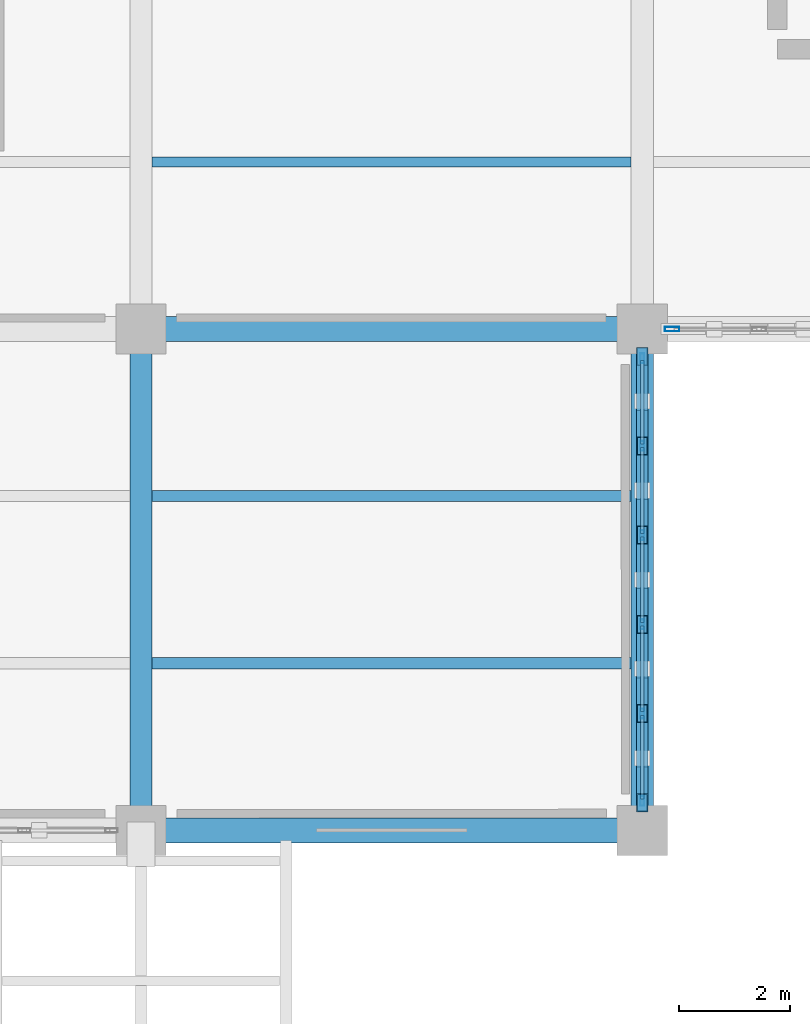
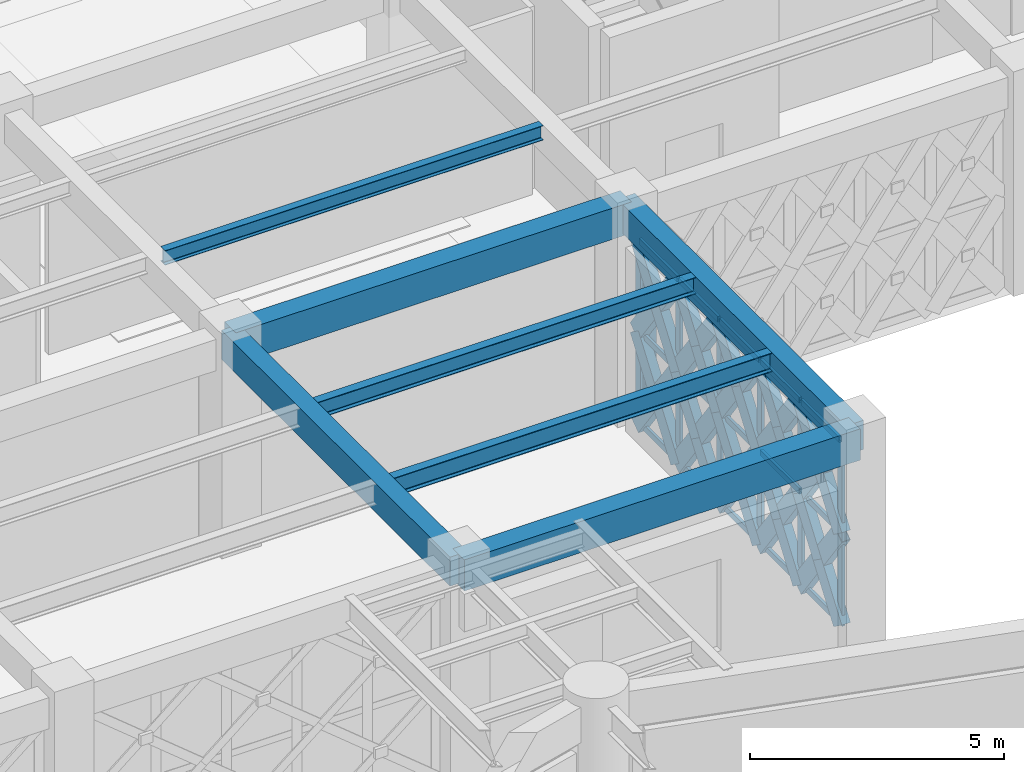
# One storey, part 79 of 166: 52 members, 7 beams, 2 elements without a shape of their own.
"""IFC4 building model written with IfcOpenShell, lengths in metres."""

from ifc_helpers import new_model, si_unit, direction, frame, origin, origin_2d, place, context, subcontext, project, spatial, rectangle, hollow_rectangle, i_section, extrude, material, material_profile, profile_set, type_object, element, aggregate, save


model = new_model("IFC4")

# Units and contexts
model_context = context("Model", 3, precision=1e-05, world=origin(), true_north=direction((0.0, 1.0)))
body_context = subcontext(model_context, "Body", "Model", "MODEL_VIEW")
ifc_project = project(units=[si_unit("LENGTHUNIT", "METRE"), si_unit("AREAUNIT", "SQUARE_METRE"), si_unit("VOLUMEUNIT", "CUBIC_METRE"), si_unit("PLANEANGLEUNIT", "RADIAN"), si_unit("MASSUNIT", "GRAM", prefix="KILO")], contexts=[model_context])

# Site, building, storey
site_placement = place(None, origin())
site = spatial("IfcSite", under=ifc_project, at=site_placement, CompositionType="ELEMENT")
building_placement = place(site_placement, origin())
building = spatial("IfcBuilding", under=site, at=building_placement, Name="Haizhuo Lancet Aquarium", CompositionType="ELEMENT")
storey_placement = place(building_placement, frame((0.0, 0.0, 5.39990234375)))
storey = spatial("IfcBuildingStorey", under=building, at=storey_placement, Name="L01", CompositionType="ELEMENT", Elevation=5.39990234375)

# Beams
ifc_material_1 = material(Name="Concrete C40/50", Category="concrete")
ifc_material_profile_1 = material_profile(ifc_material_1, rectangle(XDim=0.39990234375, YDim=0.699951171875, at=origin_2d()), Name="RC-BM 400x700")
ifc_profile_set_1 = profile_set([ifc_material_profile_1], Name="Concrete C40/50")
beam_type_1 = type_object("IfcBeamType", Name="BM-RC-400x700", PredefinedType="BEAM", material=ifc_profile_set_1)
for number, where, z_axis, x_axis, name in (
    (1, (0.0, 27.0, 4.7900390625), (0.0, 1.0, 0.0), (-1.0, 0.0, 0.0), "L01 V5 primary girder BM-L01-V5-016"),
    (2, (9.0, 27.0, 4.7900390625), (0.0, 1.0, 0.0), (-1.0, 0.0, 0.0), "L01 V5 primary girder BM-L01-V5-023"),
):
    element("IfcBeam", number, at=place(storey_placement, frame(where, z_axis=z_axis, x_axis=x_axis)), inside=storey, type_object=beam_type_1, Name=name, PredefinedType="BEAM", context=body_context, shape_type="SweptSolid", body=[
        extrude(rectangle(XDim=0.39990234375, YDim=0.699951171875, at=origin_2d()), origin(), (0.0, 0.0, 1.0), 9.0),
    ])
ifc_material_profile_2 = material_profile(ifc_material_1, rectangle(XDim=0.449951171875, YDim=0.75, at=origin_2d()), Name="RC-BM 450x750")
ifc_profile_set_2 = profile_set([ifc_material_profile_2], Name="Concrete C40/50")
beam_type_2 = type_object("IfcBeamType", Name="BM-RC-450x750", PredefinedType="BEAM", material=ifc_profile_set_2)
for number, where, z_axis, x_axis, name in (
    (3, (0.0, 27.0, 4.76513671875), (1.0, 0.0, 0.0), (0.0, 1.0, 0.0), "L01 V5 primary girder BM-L01-V5-017"),
    (4, (0.0, 36.0, 4.76513671875), (1.0, 0.0, 0.0), (0.0, 1.0, 0.0), "L01 V5 primary girder BM-L01-V5-019"),
):
    element("IfcBeam", number, at=place(storey_placement, frame(where, z_axis=z_axis, x_axis=x_axis)), inside=storey, type_object=beam_type_2, Name=name, PredefinedType="BEAM", context=body_context, shape_type="SweptSolid", body=[
        extrude(rectangle(XDim=0.449951171875, YDim=0.75, at=origin_2d()), origin(), (0.0, 0.0, 1.0), 9.0),
    ])

# Curtain wall, members
ifc_material_2 = material(Name="Aluminium 6063-T6", Category="aluminium")
curtain_wall_type_1 = type_object("IfcCurtainWallType", Name="CWD-8010x4440", PredefinedType="NOTDEFINED", material=ifc_material_2)
curtain_wall_1_placement = place(storey_placement, origin())
curtain_wall_1 = element("IfcCurtainWall", 5, at=curtain_wall_1_placement, inside=storey, type_object=curtain_wall_type_1, Name="L01 curtain wall CW-V5-L01-139", PredefinedType="NOTDEFINED")
ifc_material_profile_3 = material_profile(ifc_material_2, hollow_rectangle(XDim=0.06494140625, YDim=0.179931640625, WallThickness=0.00390625, at=origin_2d()), Name="ALU-M 65x180x4")
ifc_profile_set_3 = profile_set([ifc_material_profile_3], Name="Aluminium 6063-T6")
member_type_1 = type_object("IfcMemberType", Name="CW-MUL-1", PredefinedType="MULLION", material=ifc_profile_set_3)
member_1_placement = place(storey_placement, frame((9.0, 35.472900390625, 0.0), z_axis=(0.0, 0.0, 1.0), x_axis=(1.0, 0.0, 0.0)))
member_1 = element("IfcMember", 6, at=member_1_placement, type_object=member_type_1, Name="CWD-80x44 mullion 1", PredefinedType="MULLION", context=body_context, shape_type="SweptSolid", body=[
    extrude(hollow_rectangle(XDim=0.06494140625, YDim=0.179931640625, WallThickness=0.00390625, at=origin_2d()), origin(), (0.0, 0.0, 1.0), 4.440185546875),
])
member_2_placement = place(storey_placement, frame((9.0, 33.903076171875, 0.0), z_axis=(0.0, 0.0, 1.0), x_axis=(1.0, 0.0, 0.0)))
member_2 = element("IfcMember", 7, at=member_2_placement, type_object=member_type_1, Name="CWD-80x44 mullion 2", PredefinedType="MULLION", context=body_context, shape_type="SweptSolid", body=[
    extrude(hollow_rectangle(XDim=0.06494140625, YDim=0.179931640625, WallThickness=0.00390625, at=origin_2d()), origin(), (0.0, 0.0, 1.0), 4.440185546875),
])
member_3_placement = place(storey_placement, frame((9.0, 32.301025390625, 0.0), z_axis=(0.0, 0.0, 1.0), x_axis=(1.0, 0.0, 0.0)))
member_3 = element("IfcMember", 8, at=member_3_placement, type_object=member_type_1, Name="CWD-80x44 mullion 3", PredefinedType="MULLION", context=body_context, shape_type="SweptSolid", body=[
    extrude(hollow_rectangle(XDim=0.06494140625, YDim=0.179931640625, WallThickness=0.00390625, at=origin_2d()), origin(), (0.0, 0.0, 1.0), 4.440185546875),
])
member_4_placement = place(storey_placement, frame((9.0, 30.698974609375, 0.0), z_axis=(0.0, 0.0, 1.0), x_axis=(1.0, 0.0, 0.0)))
member_4 = element("IfcMember", 9, at=member_4_placement, type_object=member_type_1, Name="CWD-80x44 mullion 4", PredefinedType="MULLION", context=body_context, shape_type="SweptSolid", body=[
    extrude(hollow_rectangle(XDim=0.06494140625, YDim=0.179931640625, WallThickness=0.00390625, at=origin_2d()), origin(), (0.0, 0.0, 1.0), 4.440185546875),
])
member_5_placement = place(storey_placement, frame((9.0, 29.096923828125, 0.0), z_axis=(0.0, 0.0, 1.0), x_axis=(1.0, 0.0, 0.0)))
member_5 = element("IfcMember", 10, at=member_5_placement, type_object=member_type_1, Name="CWD-80x44 mullion 5", PredefinedType="MULLION", context=body_context, shape_type="SweptSolid", body=[
    extrude(hollow_rectangle(XDim=0.06494140625, YDim=0.179931640625, WallThickness=0.00390625, at=origin_2d()), origin(), (0.0, 0.0, 1.0), 4.440185546875),
])
member_6_placement = place(storey_placement, frame((9.0, 27.527099609375, 0.0), z_axis=(0.0, 0.0, 1.0), x_axis=(1.0, 0.0, 0.0)))
member_6 = element("IfcMember", 11, at=member_6_placement, type_object=member_type_1, Name="CWD-80x44 mullion 6", PredefinedType="MULLION", context=body_context, shape_type="SweptSolid", body=[
    extrude(hollow_rectangle(XDim=0.06494140625, YDim=0.179931640625, WallThickness=0.00390625, at=origin_2d()), origin(), (0.0, 0.0, 1.0), 4.440185546875),
])

# Curtain wall, member
curtain_wall_type_2 = type_object("IfcCurtainWallType", Name="CWD-8010x4390", PredefinedType="NOTDEFINED", material=ifc_material_2)
curtain_wall_2_placement = place(storey_placement, origin())
curtain_wall_2 = element("IfcCurtainWall", 12, at=curtain_wall_2_placement, inside=storey, type_object=curtain_wall_type_2, Name="L01 curtain wall CW-V5-L01-138", PredefinedType="NOTDEFINED")
ifc_material_profile_4 = material_profile(ifc_material_2, hollow_rectangle(XDim=0.080078125, YDim=0.260009765625, WallThickness=0.0048828125, at=origin_2d()), Name="ALU-M 80x260x5")
ifc_profile_set_4 = profile_set([ifc_material_profile_4], Name="Aluminium 6063-T6")
member_type_2 = type_object("IfcMemberType", Name="CW-MUL-3", PredefinedType="MULLION", material=ifc_profile_set_4)
member_7_placement = place(storey_placement, frame((9.534912109375, 36.0, 0.0), z_axis=(0.0, 0.0, 1.0), x_axis=(0.0, -1.0, 0.0)))
member_7 = element("IfcMember", 13, at=member_7_placement, type_object=member_type_2, Name="CWD-80x43 mullion 6", PredefinedType="MULLION", context=body_context, shape_type="SweptSolid", body=[
    extrude(hollow_rectangle(XDim=0.080078125, YDim=0.260009765625, WallThickness=0.0048828125, at=origin_2d()), origin(), (0.0, 0.0, 1.0), 4.39013671875),
])
aggregate(curtain_wall_2, [member_7])

# Member
ifc_material_profile_5 = material_profile(ifc_material_2, hollow_rectangle(XDim=0.06494140625, YDim=0.139892578125, WallThickness=0.00390625, at=origin_2d()), Name="ALU-T 65x140x4")
ifc_profile_set_5 = profile_set([ifc_material_profile_5], Name="Aluminium 6063-T6")
member_type_3 = type_object("IfcMemberType", Name="CW-TRN-1", PredefinedType="NOTDEFINED", material=ifc_profile_set_5)
member_8_placement = place(storey_placement, frame((9.0, 35.43994140625, 0.033203125), z_axis=(0.0, -1.0, 0.0), x_axis=(1.0, 0.0, 0.0)))
member_8 = element("IfcMember", 14, at=member_8_placement, type_object=member_type_3, Name="CWD-80x44 transom 1.1", ObjectType="TRANSOM", PredefinedType="USERDEFINED", context=body_context, shape_type="SweptSolid", body=[
    extrude(hollow_rectangle(XDim=0.06494140625, YDim=0.139892578125, WallThickness=0.00390625, at=origin_2d()), origin(), (0.0, 0.0, 1.0), 1.50390625),
])

member_9_placement = place(storey_placement, frame((9.0, 35.43994140625, 2.22021484375), z_axis=(0.0, -1.0, 0.0), x_axis=(1.0, 0.0, 0.0)))
member_9 = element("IfcMember", 15, at=member_9_placement, type_object=member_type_3, Name="CWD-80x44 transom 1.2", ObjectType="TRANSOM", PredefinedType="USERDEFINED", context=body_context, shape_type="SweptSolid", body=[
    extrude(hollow_rectangle(XDim=0.06494140625, YDim=0.139892578125, WallThickness=0.00390625, at=origin_2d()), origin(), (0.0, 0.0, 1.0), 1.50390625),
])

member_10_placement = place(storey_placement, frame((9.0, 35.43994140625, 4.406982421875), z_axis=(0.0, -1.0, 0.0), x_axis=(1.0, 0.0, 0.0)))
member_10 = element("IfcMember", 16, at=member_10_placement, type_object=member_type_3, Name="CWD-80x44 transom 1.3", ObjectType="TRANSOM", PredefinedType="USERDEFINED", context=body_context, shape_type="SweptSolid", body=[
    extrude(hollow_rectangle(XDim=0.06494140625, YDim=0.139892578125, WallThickness=0.00390625, at=origin_2d()), origin(), (0.0, 0.0, 1.0), 1.50390625),
])

member_11_placement = place(storey_placement, frame((9.0, 33.8701171875, 0.033203125), z_axis=(0.0, -1.0, 0.0), x_axis=(1.0, 0.0, 0.0)))
member_11 = element("IfcMember", 17, at=member_11_placement, type_object=member_type_3, Name="CWD-80x44 transom 2.1", ObjectType="TRANSOM", PredefinedType="USERDEFINED", context=body_context, shape_type="SweptSolid", body=[
    extrude(hollow_rectangle(XDim=0.06494140625, YDim=0.139892578125, WallThickness=0.00390625, at=origin_2d()), origin(), (0.0, 0.0, 1.0), 1.5361328125),
])

member_12_placement = place(storey_placement, frame((9.0, 33.8701171875, 2.22021484375), z_axis=(0.0, -1.0, 0.0), x_axis=(1.0, 0.0, 0.0)))
member_12 = element("IfcMember", 18, at=member_12_placement, type_object=member_type_3, Name="CWD-80x44 transom 2.2", ObjectType="TRANSOM", PredefinedType="USERDEFINED", context=body_context, shape_type="SweptSolid", body=[
    extrude(hollow_rectangle(XDim=0.06494140625, YDim=0.139892578125, WallThickness=0.00390625, at=origin_2d()), origin(), (0.0, 0.0, 1.0), 1.5361328125),
])

member_13_placement = place(storey_placement, frame((9.0, 33.8701171875, 4.406982421875), z_axis=(0.0, -1.0, 0.0), x_axis=(1.0, 0.0, 0.0)))
member_13 = element("IfcMember", 19, at=member_13_placement, type_object=member_type_3, Name="CWD-80x44 transom 2.3", ObjectType="TRANSOM", PredefinedType="USERDEFINED", context=body_context, shape_type="SweptSolid", body=[
    extrude(hollow_rectangle(XDim=0.06494140625, YDim=0.139892578125, WallThickness=0.00390625, at=origin_2d()), origin(), (0.0, 0.0, 1.0), 1.5361328125),
])

member_14_placement = place(storey_placement, frame((9.0, 32.26904296875, 0.033203125), z_axis=(0.0, -1.0, 0.0), x_axis=(1.0, 0.0, 0.0)))
member_14 = element("IfcMember", 20, at=member_14_placement, type_object=member_type_3, Name="CWD-80x44 transom 3.1", ObjectType="TRANSOM", PredefinedType="USERDEFINED", context=body_context, shape_type="SweptSolid", body=[
    extrude(hollow_rectangle(XDim=0.06494140625, YDim=0.139892578125, WallThickness=0.00390625, at=origin_2d()), origin(), (0.0, 0.0, 1.0), 1.537109375),
])

member_15_placement = place(storey_placement, frame((9.0, 32.26904296875, 2.22021484375), z_axis=(0.0, -1.0, 0.0), x_axis=(1.0, 0.0, 0.0)))
member_15 = element("IfcMember", 21, at=member_15_placement, type_object=member_type_3, Name="CWD-80x44 transom 3.2", ObjectType="TRANSOM", PredefinedType="USERDEFINED", context=body_context, shape_type="SweptSolid", body=[
    extrude(hollow_rectangle(XDim=0.06494140625, YDim=0.139892578125, WallThickness=0.00390625, at=origin_2d()), origin(), (0.0, 0.0, 1.0), 1.537109375),
])

member_16_placement = place(storey_placement, frame((9.0, 32.26904296875, 4.406982421875), z_axis=(0.0, -1.0, 0.0), x_axis=(1.0, 0.0, 0.0)))
member_16 = element("IfcMember", 22, at=member_16_placement, type_object=member_type_3, Name="CWD-80x44 transom 3.3", ObjectType="TRANSOM", PredefinedType="USERDEFINED", context=body_context, shape_type="SweptSolid", body=[
    extrude(hollow_rectangle(XDim=0.06494140625, YDim=0.139892578125, WallThickness=0.00390625, at=origin_2d()), origin(), (0.0, 0.0, 1.0), 1.537109375),
])

member_17_placement = place(storey_placement, frame((9.0, 30.6669921875, 0.033203125), z_axis=(0.0, -1.0, 0.0), x_axis=(1.0, 0.0, 0.0)))
member_17 = element("IfcMember", 23, at=member_17_placement, type_object=member_type_3, Name="CWD-80x44 transom 4.1", ObjectType="TRANSOM", PredefinedType="USERDEFINED", context=body_context, shape_type="SweptSolid", body=[
    extrude(hollow_rectangle(XDim=0.06494140625, YDim=0.139892578125, WallThickness=0.00390625, at=origin_2d()), origin(), (0.0, 0.0, 1.0), 1.537109375),
])

member_18_placement = place(storey_placement, frame((9.0, 30.6669921875, 2.22021484375), z_axis=(0.0, -1.0, 0.0), x_axis=(1.0, 0.0, 0.0)))
member_18 = element("IfcMember", 24, at=member_18_placement, type_object=member_type_3, Name="CWD-80x44 transom 4.2", ObjectType="TRANSOM", PredefinedType="USERDEFINED", context=body_context, shape_type="SweptSolid", body=[
    extrude(hollow_rectangle(XDim=0.06494140625, YDim=0.139892578125, WallThickness=0.00390625, at=origin_2d()), origin(), (0.0, 0.0, 1.0), 1.537109375),
])

member_19_placement = place(storey_placement, frame((9.0, 30.6669921875, 4.406982421875), z_axis=(0.0, -1.0, 0.0), x_axis=(1.0, 0.0, 0.0)))
member_19 = element("IfcMember", 25, at=member_19_placement, type_object=member_type_3, Name="CWD-80x44 transom 4.3", ObjectType="TRANSOM", PredefinedType="USERDEFINED", context=body_context, shape_type="SweptSolid", body=[
    extrude(hollow_rectangle(XDim=0.06494140625, YDim=0.139892578125, WallThickness=0.00390625, at=origin_2d()), origin(), (0.0, 0.0, 1.0), 1.537109375),
])

member_20_placement = place(storey_placement, frame((9.0, 29.06494140625, 0.033203125), z_axis=(0.0, -1.0, 0.0), x_axis=(1.0, 0.0, 0.0)))
member_20 = element("IfcMember", 26, at=member_20_placement, type_object=member_type_3, Name="CWD-80x44 transom 5.1", ObjectType="TRANSOM", PredefinedType="USERDEFINED", context=body_context, shape_type="SweptSolid", body=[
    extrude(hollow_rectangle(XDim=0.06494140625, YDim=0.139892578125, WallThickness=0.00390625, at=origin_2d()), origin(), (0.0, 0.0, 1.0), 1.5048828125),
])

member_21_placement = place(storey_placement, frame((9.0, 29.06494140625, 2.22021484375), z_axis=(0.0, -1.0, 0.0), x_axis=(1.0, 0.0, 0.0)))
member_21 = element("IfcMember", 27, at=member_21_placement, type_object=member_type_3, Name="CWD-80x44 transom 5.2", ObjectType="TRANSOM", PredefinedType="USERDEFINED", context=body_context, shape_type="SweptSolid", body=[
    extrude(hollow_rectangle(XDim=0.06494140625, YDim=0.139892578125, WallThickness=0.00390625, at=origin_2d()), origin(), (0.0, 0.0, 1.0), 1.5048828125),
])

member_22_placement = place(storey_placement, frame((9.0, 29.06494140625, 4.406982421875), z_axis=(0.0, -1.0, 0.0), x_axis=(1.0, 0.0, 0.0)))
member_22 = element("IfcMember", 28, at=member_22_placement, type_object=member_type_3, Name="CWD-80x44 transom 5.3", ObjectType="TRANSOM", PredefinedType="USERDEFINED", context=body_context, shape_type="SweptSolid", body=[
    extrude(hollow_rectangle(XDim=0.06494140625, YDim=0.139892578125, WallThickness=0.00390625, at=origin_2d()), origin(), (0.0, 0.0, 1.0), 1.5048828125),
])

aggregate(curtain_wall_1, [member_1, member_2, member_3, member_4, member_5, member_6, member_8, member_9, member_10, member_11, member_12, member_13, member_14, member_15, member_16, member_17, member_18, member_19, member_20, member_21, member_22])

# Beams
ifc_material_3 = material(Name="Steel S355", Category="steel")
ifc_material_profile_6 = material_profile(ifc_material_3, i_section(OverallWidth=0.175048828125, OverallDepth=0.35009765625, WebThickness=0.007080078125, FlangeThickness=0.010986328125, FilletRadius=0.013916015625, at=origin_2d()), Name="HN 350x175x7x11")
ifc_profile_set_6 = profile_set([ifc_material_profile_6], Name="Steel S355")
beam_type_3 = type_object("IfcBeamType", Name="JST-ST-HN350", PredefinedType="JOIST", material=ifc_profile_set_6)
beam_1_placement = place(storey_placement, frame((0.199951171875, 39.0, 4.965087890625), z_axis=(1.0, 0.0, 0.0), x_axis=(0.0, 1.0, 0.0)))
element("IfcBeam", 29, at=beam_1_placement, inside=storey, type_object=beam_type_3, Name="L01 V5 secondary floor joist 16", PredefinedType="JOIST", context=body_context, shape_type="SweptSolid", body=[
    extrude(i_section(OverallWidth=0.175048828125, OverallDepth=0.35009765625, WebThickness=0.007080078125, FlangeThickness=0.010986328125, FilletRadius=0.013916015625, at=origin_2d()), origin(), (0.0, 0.0, 1.0), 8.60009765625),
])
ifc_material_profile_7 = material_profile(ifc_material_3, i_section(OverallWidth=0.199951171875, OverallDepth=0.39990234375, WebThickness=0.008056640625, FlangeThickness=0.012939453125, FilletRadius=0.01611328125, at=origin_2d()), Name="HN 400x200x8x13")
ifc_profile_set_7 = profile_set([ifc_material_profile_7], Name="Steel S355")
beam_type_4 = type_object("IfcBeamType", Name="JST-ST-HN400", PredefinedType="JOIST", material=ifc_profile_set_7)
beam_2_placement = place(storey_placement, frame((0.199951171875, 33.0, 4.940185546875), z_axis=(1.0, 0.0, 0.0), x_axis=(0.0, 1.0, 0.0)))
element("IfcBeam", 30, at=beam_2_placement, inside=storey, type_object=beam_type_4, Name="L01 V5 secondary floor joist 15", PredefinedType="JOIST", context=body_context, shape_type="SweptSolid", body=[
    extrude(i_section(OverallWidth=0.199951171875, OverallDepth=0.39990234375, WebThickness=0.008056640625, FlangeThickness=0.012939453125, FilletRadius=0.01611328125, at=origin_2d()), origin(), (0.0, 0.0, 1.0), 8.60009765625),
])
ifc_material_profile_8 = material_profile(ifc_material_3, i_section(OverallWidth=0.199951171875, OverallDepth=0.449951171875, WebThickness=0.009033203125, FlangeThickness=0.013916015625, FilletRadius=0.01806640625, at=origin_2d()), Name="HN 450x200x9x14")
ifc_profile_set_8 = profile_set([ifc_material_profile_8], Name="Steel S355")
beam_type_5 = type_object("IfcBeamType", Name="JST-ST-HN450", PredefinedType="JOIST", material=ifc_profile_set_8)
beam_3_placement = place(storey_placement, frame((0.199951171875, 30.0, 4.9150390625), z_axis=(1.0, 0.0, 0.0), x_axis=(0.0, 1.0, 0.0)))
element("IfcBeam", 31, at=beam_3_placement, inside=storey, type_object=beam_type_5, Name="L01 V5 secondary floor joist 14", PredefinedType="JOIST", context=body_context, shape_type="SweptSolid", body=[
    extrude(i_section(OverallWidth=0.199951171875, OverallDepth=0.449951171875, WebThickness=0.009033203125, FlangeThickness=0.013916015625, FilletRadius=0.01806640625, at=origin_2d()), origin(), (0.0, 0.0, 1.0), 8.60009765625),
])

# Members
ifc_material_profile_9 = material_profile(ifc_material_3, hollow_rectangle(XDim=0.199951171875, YDim=0.39990234375, WallThickness=0.011962890625, at=origin_2d()), Name="RHS 200x400x12")
ifc_profile_set_9 = profile_set([ifc_material_profile_9], Name="Steel S355")
member_type_4 = type_object("IfcMemberType", Name="MEM-LB-RHS200x400", PredefinedType="BRACE", material=ifc_profile_set_9)
member_23_placement = place(storey_placement, frame((9.0, 35.5048828125, 0.0), z_axis=(0.0, -0.58508674522, 0.810970714988), x_axis=(1.0, 0.0, 0.0)))
element("IfcMember", 32, at=member_23_placement, inside=storey, type_object=member_type_4, Name="Gothic lancet continuous diagonal brace CW-V5-L01-139 1A", PredefinedType="BRACE", context=body_context, shape_type="SweptSolid", body=[
    extrude(hollow_rectangle(XDim=0.199951171875, YDim=0.39990234375, WallThickness=0.011962890625, at=origin_2d()), origin(), (0.0, 0.0, 1.0), 2.73779296875),
])
for number, where, z_axis, x_axis, name in (
    (33, (9.0, 33.903076171875, 0.0), (0.0, 0.585145389624, 0.810928401896), (-1.0, 0.0, 0.0), "Gothic lancet split diagonal brace CW-V5-L01-139 1B1"),
    (34, (9.0, 34.7041015625, 1.110107421875), (0.0, 0.585028091636, 0.811013028253), (-1.0, 0.0, 0.0), "Gothic lancet split diagonal brace CW-V5-L01-139 1B2"),
):
    element("IfcMember", number, at=place(storey_placement, frame(where, z_axis=z_axis, x_axis=x_axis)), inside=storey, type_object=member_type_4, Name=name, PredefinedType="BRACE", context=body_context, shape_type="SweptSolid", body=[
        extrude(hollow_rectangle(XDim=0.199951171875, YDim=0.39990234375, WallThickness=0.011962890625, at=origin_2d()), origin(), (0.0, 0.0, 1.0), 1.368896484375),
    ])
member_24_placement = place(storey_placement, frame((9.0, 35.5048828125, 2.22021484375), z_axis=(0.0, -0.585129060663, 0.810940184211), x_axis=(1.0, 0.0, 0.0)))
element("IfcMember", 35, at=member_24_placement, inside=storey, type_object=member_type_4, Name="Gothic lancet continuous diagonal brace CW-V5-L01-139 2A", PredefinedType="BRACE", context=body_context, shape_type="SweptSolid", body=[
    extrude(hollow_rectangle(XDim=0.199951171875, YDim=0.39990234375, WallThickness=0.011962890625, at=origin_2d()), origin(), (0.0, 0.0, 1.0), 2.737548828125),
])
member_25_placement = place(storey_placement, frame((9.0, 33.903076171875, 2.22021484375), z_axis=(0.0, 0.585230024685, 0.810867324663), x_axis=(-1.0, 0.0, 0.0)))
element("IfcMember", 36, at=member_25_placement, inside=storey, type_object=member_type_4, Name="Gothic lancet split diagonal brace CW-V5-L01-139 2B1", PredefinedType="BRACE", context=body_context, shape_type="SweptSolid", body=[
    extrude(hollow_rectangle(XDim=0.199951171875, YDim=0.39990234375, WallThickness=0.011962890625, at=origin_2d()), origin(), (0.0, 0.0, 1.0), 1.36865234375),
])
member_26_placement = place(storey_placement, frame((9.0, 34.7041015625, 3.330078125), z_axis=(0.0, 0.585028091636, 0.811013028253), x_axis=(-1.0, 0.0, 0.0)))
element("IfcMember", 37, at=member_26_placement, inside=storey, type_object=member_type_4, Name="Gothic lancet split diagonal brace CW-V5-L01-139 2B2", PredefinedType="BRACE", context=body_context, shape_type="SweptSolid", body=[
    extrude(hollow_rectangle(XDim=0.199951171875, YDim=0.39990234375, WallThickness=0.011962890625, at=origin_2d()), origin(), (0.0, 0.0, 1.0), 1.368896484375),
])
member_27_placement = place(storey_placement, frame((9.0, 33.903076171875, 0.0), z_axis=(0.0, -0.585145389624, 0.810928401896), x_axis=(1.0, 0.0, 0.0)))
element("IfcMember", 38, at=member_27_placement, inside=storey, type_object=member_type_4, Name="Gothic lancet continuous diagonal brace CW-V5-L01-139 3A", PredefinedType="BRACE", context=body_context, shape_type="SweptSolid", body=[
    extrude(hollow_rectangle(XDim=0.199951171875, YDim=0.39990234375, WallThickness=0.011962890625, at=origin_2d()), origin(), (0.0, 0.0, 1.0), 2.73779296875),
])
for number, where, z_axis, x_axis, name in (
    (39, (9.0, 32.301025390625, 0.0), (0.0, 0.585145389624, 0.810928401896), (-1.0, 0.0, 0.0), "Gothic lancet split diagonal brace CW-V5-L01-139 3B1"),
    (40, (9.0, 33.10205078125, 1.110107421875), (0.0, 0.585145389624, 0.810928401896), (-1.0, 0.0, 0.0), "Gothic lancet split diagonal brace CW-V5-L01-139 3B2"),
):
    element("IfcMember", number, at=place(storey_placement, frame(where, z_axis=z_axis, x_axis=x_axis)), inside=storey, type_object=member_type_4, Name=name, PredefinedType="BRACE", context=body_context, shape_type="SweptSolid", body=[
        extrude(hollow_rectangle(XDim=0.199951171875, YDim=0.39990234375, WallThickness=0.011962890625, at=origin_2d()), origin(), (0.0, 0.0, 1.0), 1.368896484375),
    ])
member_28_placement = place(storey_placement, frame((9.0, 33.903076171875, 2.22021484375), z_axis=(0.0, -0.585187704891, 0.810897866592), x_axis=(1.0, 0.0, 0.0)))
element("IfcMember", 41, at=member_28_placement, inside=storey, type_object=member_type_4, Name="Gothic lancet continuous diagonal brace CW-V5-L01-139 4A", PredefinedType="BRACE", context=body_context, shape_type="SweptSolid", body=[
    extrude(hollow_rectangle(XDim=0.199951171875, YDim=0.39990234375, WallThickness=0.011962890625, at=origin_2d()), origin(), (0.0, 0.0, 1.0), 2.737548828125),
])
member_29_placement = place(storey_placement, frame((9.0, 32.301025390625, 2.22021484375), z_axis=(0.0, 0.585230024685, 0.810867324663), x_axis=(-1.0, 0.0, 0.0)))
element("IfcMember", 42, at=member_29_placement, inside=storey, type_object=member_type_4, Name="Gothic lancet split diagonal brace CW-V5-L01-139 4B1", PredefinedType="BRACE", context=body_context, shape_type="SweptSolid", body=[
    extrude(hollow_rectangle(XDim=0.199951171875, YDim=0.39990234375, WallThickness=0.011962890625, at=origin_2d()), origin(), (0.0, 0.0, 1.0), 1.36865234375),
])
member_30_placement = place(storey_placement, frame((9.0, 33.10205078125, 3.330078125), z_axis=(0.0, 0.585145389624, 0.810928401896), x_axis=(-1.0, 0.0, 0.0)))
element("IfcMember", 43, at=member_30_placement, inside=storey, type_object=member_type_4, Name="Gothic lancet split diagonal brace CW-V5-L01-139 4B2", PredefinedType="BRACE", context=body_context, shape_type="SweptSolid", body=[
    extrude(hollow_rectangle(XDim=0.199951171875, YDim=0.39990234375, WallThickness=0.011962890625, at=origin_2d()), origin(), (0.0, 0.0, 1.0), 1.368896484375),
])
member_31_placement = place(storey_placement, frame((9.0, 32.301025390625, 0.0), z_axis=(0.0, -0.585145389624, 0.810928401896), x_axis=(1.0, 0.0, 0.0)))
element("IfcMember", 44, at=member_31_placement, inside=storey, type_object=member_type_4, Name="Gothic lancet continuous diagonal brace CW-V5-L01-139 5A", PredefinedType="BRACE", context=body_context, shape_type="SweptSolid", body=[
    extrude(hollow_rectangle(XDim=0.199951171875, YDim=0.39990234375, WallThickness=0.011962890625, at=origin_2d()), origin(), (0.0, 0.0, 1.0), 2.73779296875),
])
for number, where, z_axis, x_axis, name in (
    (45, (9.0, 30.698974609375, 0.0), (0.0, 0.585145389624, 0.810928401896), (-1.0, 0.0, 0.0), "Gothic lancet split diagonal brace CW-V5-L01-139 5B1"),
    (46, (9.0, 31.5, 1.110107421875), (0.0, 0.585145389624, 0.810928401896), (-1.0, 0.0, 0.0), "Gothic lancet split diagonal brace CW-V5-L01-139 5B2"),
):
    element("IfcMember", number, at=place(storey_placement, frame(where, z_axis=z_axis, x_axis=x_axis)), inside=storey, type_object=member_type_4, Name=name, PredefinedType="BRACE", context=body_context, shape_type="SweptSolid", body=[
        extrude(hollow_rectangle(XDim=0.199951171875, YDim=0.39990234375, WallThickness=0.011962890625, at=origin_2d()), origin(), (0.0, 0.0, 1.0), 1.368896484375),
    ])
member_32_placement = place(storey_placement, frame((9.0, 32.301025390625, 2.22021484375), z_axis=(0.0, -0.585187704891, 0.810897866592), x_axis=(1.0, 0.0, 0.0)))
element("IfcMember", 47, at=member_32_placement, inside=storey, type_object=member_type_4, Name="Gothic lancet continuous diagonal brace CW-V5-L01-139 6A", PredefinedType="BRACE", context=body_context, shape_type="SweptSolid", body=[
    extrude(hollow_rectangle(XDim=0.199951171875, YDim=0.39990234375, WallThickness=0.011962890625, at=origin_2d()), origin(), (0.0, 0.0, 1.0), 2.737548828125),
])
member_33_placement = place(storey_placement, frame((9.0, 30.698974609375, 2.22021484375), z_axis=(0.0, 0.585230024685, 0.810867324663), x_axis=(-1.0, 0.0, 0.0)))
element("IfcMember", 48, at=member_33_placement, inside=storey, type_object=member_type_4, Name="Gothic lancet split diagonal brace CW-V5-L01-139 6B1", PredefinedType="BRACE", context=body_context, shape_type="SweptSolid", body=[
    extrude(hollow_rectangle(XDim=0.199951171875, YDim=0.39990234375, WallThickness=0.011962890625, at=origin_2d()), origin(), (0.0, 0.0, 1.0), 1.36865234375),
])
member_34_placement = place(storey_placement, frame((9.0, 31.5, 3.330078125), z_axis=(0.0, 0.585145389624, 0.810928401896), x_axis=(-1.0, 0.0, 0.0)))
element("IfcMember", 49, at=member_34_placement, inside=storey, type_object=member_type_4, Name="Gothic lancet split diagonal brace CW-V5-L01-139 6B2", PredefinedType="BRACE", context=body_context, shape_type="SweptSolid", body=[
    extrude(hollow_rectangle(XDim=0.199951171875, YDim=0.39990234375, WallThickness=0.011962890625, at=origin_2d()), origin(), (0.0, 0.0, 1.0), 1.368896484375),
])
member_35_placement = place(storey_placement, frame((9.0, 30.698974609375, 0.0), z_axis=(0.0, -0.585145389624, 0.810928401896), x_axis=(1.0, 0.0, 0.0)))
element("IfcMember", 50, at=member_35_placement, inside=storey, type_object=member_type_4, Name="Gothic lancet continuous diagonal brace CW-V5-L01-139 7A", PredefinedType="BRACE", context=body_context, shape_type="SweptSolid", body=[
    extrude(hollow_rectangle(XDim=0.199951171875, YDim=0.39990234375, WallThickness=0.011962890625, at=origin_2d()), origin(), (0.0, 0.0, 1.0), 2.73779296875),
])
for number, where, z_axis, x_axis, name in (
    (51, (9.0, 29.096923828125, 0.0), (0.0, 0.585145389624, 0.810928401896), (-1.0, 0.0, 0.0), "Gothic lancet split diagonal brace CW-V5-L01-139 7B1"),
    (52, (9.0, 29.89794921875, 1.110107421875), (0.0, 0.585145389624, 0.810928401896), (-1.0, 0.0, 0.0), "Gothic lancet split diagonal brace CW-V5-L01-139 7B2"),
):
    element("IfcMember", number, at=place(storey_placement, frame(where, z_axis=z_axis, x_axis=x_axis)), inside=storey, type_object=member_type_4, Name=name, PredefinedType="BRACE", context=body_context, shape_type="SweptSolid", body=[
        extrude(hollow_rectangle(XDim=0.199951171875, YDim=0.39990234375, WallThickness=0.011962890625, at=origin_2d()), origin(), (0.0, 0.0, 1.0), 1.368896484375),
    ])
member_36_placement = place(storey_placement, frame((9.0, 30.698974609375, 2.22021484375), z_axis=(0.0, -0.585187704891, 0.810897866592), x_axis=(1.0, 0.0, 0.0)))
element("IfcMember", 53, at=member_36_placement, inside=storey, type_object=member_type_4, Name="Gothic lancet continuous diagonal brace CW-V5-L01-139 8A", PredefinedType="BRACE", context=body_context, shape_type="SweptSolid", body=[
    extrude(hollow_rectangle(XDim=0.199951171875, YDim=0.39990234375, WallThickness=0.011962890625, at=origin_2d()), origin(), (0.0, 0.0, 1.0), 2.737548828125),
])
member_37_placement = place(storey_placement, frame((9.0, 29.096923828125, 2.22021484375), z_axis=(0.0, 0.585230024685, 0.810867324663), x_axis=(-1.0, 0.0, 0.0)))
element("IfcMember", 54, at=member_37_placement, inside=storey, type_object=member_type_4, Name="Gothic lancet split diagonal brace CW-V5-L01-139 8B1", PredefinedType="BRACE", context=body_context, shape_type="SweptSolid", body=[
    extrude(hollow_rectangle(XDim=0.199951171875, YDim=0.39990234375, WallThickness=0.011962890625, at=origin_2d()), origin(), (0.0, 0.0, 1.0), 1.36865234375),
])
member_38_placement = place(storey_placement, frame((9.0, 29.89794921875, 3.330078125), z_axis=(0.0, 0.585145389624, 0.810928401896), x_axis=(-1.0, 0.0, 0.0)))
element("IfcMember", 55, at=member_38_placement, inside=storey, type_object=member_type_4, Name="Gothic lancet split diagonal brace CW-V5-L01-139 8B2", PredefinedType="BRACE", context=body_context, shape_type="SweptSolid", body=[
    extrude(hollow_rectangle(XDim=0.199951171875, YDim=0.39990234375, WallThickness=0.011962890625, at=origin_2d()), origin(), (0.0, 0.0, 1.0), 1.368896484375),
])
member_39_placement = place(storey_placement, frame((9.0, 29.096923828125, 0.0), z_axis=(0.0, -0.58508674522, 0.810970714988), x_axis=(1.0, 0.0, 0.0)))
element("IfcMember", 56, at=member_39_placement, inside=storey, type_object=member_type_4, Name="Gothic lancet continuous diagonal brace CW-V5-L01-139 9A", PredefinedType="BRACE", context=body_context, shape_type="SweptSolid", body=[
    extrude(hollow_rectangle(XDim=0.199951171875, YDim=0.39990234375, WallThickness=0.011962890625, at=origin_2d()), origin(), (0.0, 0.0, 1.0), 2.73779296875),
])
for number, where, z_axis, x_axis, name in (
    (57, (9.0, 27.4951171875, 0.0), (0.0, 0.585028091636, 0.811013028253), (-1.0, 0.0, 0.0), "Gothic lancet split diagonal brace CW-V5-L01-139 9B1"),
    (58, (9.0, 28.2958984375, 1.110107421875), (0.0, 0.585145389624, 0.810928401896), (-1.0, 0.0, 0.0), "Gothic lancet split diagonal brace CW-V5-L01-139 9B2"),
):
    element("IfcMember", number, at=place(storey_placement, frame(where, z_axis=z_axis, x_axis=x_axis)), inside=storey, type_object=member_type_4, Name=name, PredefinedType="BRACE", context=body_context, shape_type="SweptSolid", body=[
        extrude(hollow_rectangle(XDim=0.199951171875, YDim=0.39990234375, WallThickness=0.011962890625, at=origin_2d()), origin(), (0.0, 0.0, 1.0), 1.368896484375),
    ])
member_40_placement = place(storey_placement, frame((9.0, 29.096923828125, 2.22021484375), z_axis=(0.0, -0.585129060663, 0.810940184211), x_axis=(1.0, 0.0, 0.0)))
element("IfcMember", 59, at=member_40_placement, inside=storey, type_object=member_type_4, Name="Gothic lancet continuous diagonal brace CW-V5-L01-139 10A", PredefinedType="BRACE", context=body_context, shape_type="SweptSolid", body=[
    extrude(hollow_rectangle(XDim=0.199951171875, YDim=0.39990234375, WallThickness=0.011962890625, at=origin_2d()), origin(), (0.0, 0.0, 1.0), 2.737548828125),
])
member_41_placement = place(storey_placement, frame((9.0, 27.4951171875, 2.22021484375), z_axis=(0.0, 0.585112727398, 0.810951969131), x_axis=(-1.0, 0.0, 0.0)))
element("IfcMember", 60, at=member_41_placement, inside=storey, type_object=member_type_4, Name="Gothic lancet split diagonal brace CW-V5-L01-139 10B1", PredefinedType="BRACE", context=body_context, shape_type="SweptSolid", body=[
    extrude(hollow_rectangle(XDim=0.199951171875, YDim=0.39990234375, WallThickness=0.011962890625, at=origin_2d()), origin(), (0.0, 0.0, 1.0), 1.36865234375),
])
member_42_placement = place(storey_placement, frame((9.0, 28.2958984375, 3.330078125), z_axis=(0.0, 0.585145389624, 0.810928401896), x_axis=(-1.0, 0.0, 0.0)))
element("IfcMember", 61, at=member_42_placement, inside=storey, type_object=member_type_4, Name="Gothic lancet split diagonal brace CW-V5-L01-139 10B2", PredefinedType="BRACE", context=body_context, shape_type="SweptSolid", body=[
    extrude(hollow_rectangle(XDim=0.199951171875, YDim=0.39990234375, WallThickness=0.011962890625, at=origin_2d()), origin(), (0.0, 0.0, 1.0), 1.368896484375),
])

save(model, "model.ifc")
